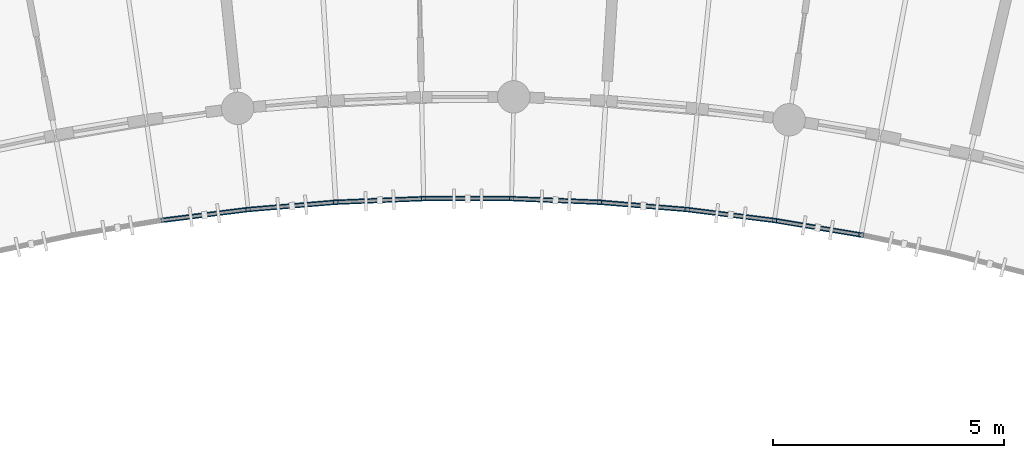
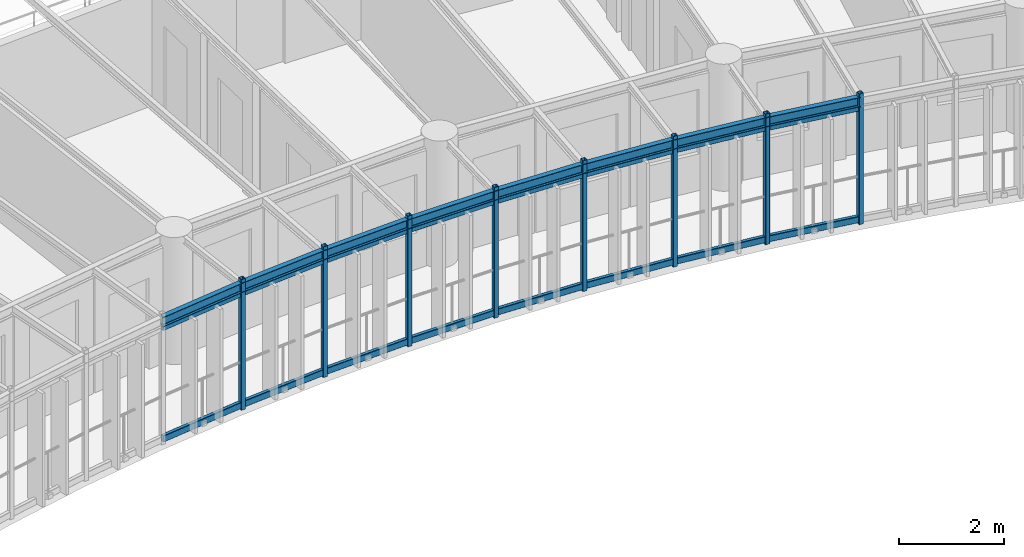
# One storey, part 28 of 100: 24 members, 8 beams.
"""IFC4 building model written with IfcOpenShell, lengths in metres."""

from ifc_helpers import new_model, si_unit, direction, frame, origin, origin_2d, place, context, subcontext, project, spatial, hollow_rectangle, i_section, extrude, material, material_profile, profile_set, type_object, element, save


model = new_model("IFC4")

# Units and contexts
model_context = context("Model", 3, precision=1e-05, world=origin(), true_north=direction((0.0, 1.0)))
body_context = subcontext(model_context, "Body", "Model", "MODEL_VIEW")
ifc_project = project(units=[si_unit("LENGTHUNIT", "METRE"), si_unit("AREAUNIT", "SQUARE_METRE"), si_unit("VOLUMEUNIT", "CUBIC_METRE"), si_unit("PLANEANGLEUNIT", "RADIAN"), si_unit("MASSUNIT", "GRAM", prefix="KILO"), si_unit("POWERUNIT", "WATT"), si_unit("THERMODYNAMICTEMPERATUREUNIT", "KELVIN")], contexts=[model_context])

# Site, building, storey
site_placement = place(None, origin())
site = spatial("IfcSite", under=ifc_project, at=site_placement, CompositionType="ELEMENT")
building_placement = place(site_placement, origin())
building = spatial("IfcBuilding", under=site, at=building_placement, Name="Ruvembo Vaulted Housing Court", CompositionType="ELEMENT")
storey_placement = place(building_placement, frame((0.0, 0.0, 10.89990234375)))
storey = spatial("IfcBuildingStorey", under=building, at=storey_placement, Name="L03", CompositionType="ELEMENT", Elevation=10.89990234375)

# Beams
ifc_material = material(Name="Steel S355J2", Category="steel")
ifc_material_profile_1 = material_profile(ifc_material, i_section(OverallWidth=0.110107421875, OverallDepth=0.219970703125, WebThickness=0.005859375, FlangeThickness=0.00927734375, FilletRadius=0.011962890625, at=origin_2d()), Name="IPE 220")
ifc_profile_set_1 = profile_set([ifc_material_profile_1], Name="Steel S355J2")
beam_type = type_object("IfcBeamType", Name="BM-ST-IPE220", PredefinedType="SPANDREL", material=ifc_profile_set_1)
for number, where, z_axis, x_axis, name in (
    (1, (110.369140625, 95.3173828125, 2.830078125), (0.992244255502, 0.124303408739, 0.0), (-0.124303408739, 0.992244255502, 0.0), "Scoop SC3 L03 Balcony Edge Spandrel 11"),
    (2, (112.255615234375, 95.5537109375, 2.830078125), (0.99656344911, 0.082832915551, 0.0), (-0.082832915551, 0.99656344911, 0.0), "Scoop SC3 L03 Balcony Edge Spandrel 12"),
    (3, (114.150146484375, 95.711181640625, 2.830078125), (0.999139293915, 0.041480975827, 0.0), (-0.041480975827, 0.999139293915, 0.0), "Scoop SC3 L03 Balcony Edge Spandrel 13"),
):
    element("IfcBeam", number, at=place(storey_placement, frame(where, z_axis=z_axis, x_axis=x_axis)), inside=storey, type_object=beam_type, Name=name, PredefinedType="SPANDREL", context=body_context, shape_type="SweptSolid", body=[
        extrude(i_section(OverallWidth=0.110107421875, OverallDepth=0.219970703125, WebThickness=0.005859375, FlangeThickness=0.00927734375, FilletRadius=0.011962890625, at=origin_2d()), origin(), (0.0, 0.0, 1.0), 1.901123046875),
    ])
beam_1_placement = place(storey_placement, frame((116.049560546875, 95.7900390625, 2.830078125), z_axis=(1.0, 0.0, 0.0), x_axis=(0.0, 1.0, 0.0)))
element("IfcBeam", 4, at=beam_1_placement, inside=storey, type_object=beam_type, Name="Scoop SC3 L03 Balcony Edge Spandrel 14", PredefinedType="SPANDREL", context=body_context, shape_type="SweptSolid", body=[
    extrude(i_section(OverallWidth=0.110107421875, OverallDepth=0.219970703125, WebThickness=0.005859375, FlangeThickness=0.00927734375, FilletRadius=0.011962890625, at=origin_2d()), origin(), (0.0, 0.0, 1.0), 1.90087890625),
])
for number, where, z_axis, x_axis, name in (
    (5, (117.950439453125, 95.7900390625, 2.830078125), (0.999139293915, -0.041480975827, 0.0), (0.041480975827, 0.999139293915, 0.0), "Scoop SC3 L03 Balcony Edge Spandrel 15"),
    (6, (119.849853515625, 95.711181640625, 2.830078125), (0.99656344911, -0.082832915551, 0.0), (0.082832915551, 0.99656344911, 0.0), "Scoop SC3 L03 Balcony Edge Spandrel 16"),
    (7, (121.744384765625, 95.5537109375, 2.830078125), (0.992244255502, -0.124303408739, 0.0), (0.124303408739, 0.992244255502, 0.0), "Scoop SC3 L03 Balcony Edge Spandrel 17"),
):
    element("IfcBeam", number, at=place(storey_placement, frame(where, z_axis=z_axis, x_axis=x_axis)), inside=storey, type_object=beam_type, Name=name, PredefinedType="SPANDREL", context=body_context, shape_type="SweptSolid", body=[
        extrude(i_section(OverallWidth=0.110107421875, OverallDepth=0.219970703125, WebThickness=0.005859375, FlangeThickness=0.00927734375, FilletRadius=0.011962890625, at=origin_2d()), origin(), (0.0, 0.0, 1.0), 1.901123046875),
    ])
beam_2_placement = place(storey_placement, frame((123.630859375, 95.3173828125, 2.830078125), z_axis=(0.986265186139, -0.165169557153, 0.0), x_axis=(0.165169557153, 0.986265186139, 0.0)))
element("IfcBeam", 8, at=beam_2_placement, inside=storey, type_object=beam_type, Name="Scoop SC3 L03 Balcony Edge Spandrel 18", PredefinedType="SPANDREL", context=body_context, shape_type="SweptSolid", body=[
    extrude(i_section(OverallWidth=0.110107421875, OverallDepth=0.219970703125, WebThickness=0.005859375, FlangeThickness=0.00927734375, FilletRadius=0.011962890625, at=origin_2d()), origin(), (0.0, 0.0, 1.0), 1.90087890625),
])

# Members
ifc_material_profile_2 = material_profile(ifc_material, hollow_rectangle(XDim=0.06005859375, YDim=0.1201171875, WallThickness=0.0048828125, InnerFilletRadius=0.0048828125, OuterFilletRadius=0.010009765625, at=origin_2d()), Name="RHS 120x60x5")
ifc_profile_set_2 = profile_set([ifc_material_profile_2], Name="Steel S355J2")
member_type_1 = type_object("IfcMemberType", Name="MEM-CAR-RHS120", PredefinedType="CHORD", material=ifc_profile_set_2)
for number, where, z_axis, x_axis, name in (
    (9, (110.369140625, 95.3173828125, 2.6630859375), (0.992244255502, 0.124303408739, 0.0), (-0.124303408739, 0.992244255502, 0.0), "Scoop SC3 L03 Upper Louvre Carrier Rail 11"),
    (10, (112.255615234375, 95.5537109375, 2.6630859375), (0.99656344911, 0.082832915551, 0.0), (-0.082832915551, 0.99656344911, 0.0), "Scoop SC3 L03 Upper Louvre Carrier Rail 12"),
    (11, (114.150146484375, 95.711181640625, 2.6630859375), (0.999139293915, 0.041480975827, 0.0), (-0.041480975827, 0.999139293915, 0.0), "Scoop SC3 L03 Upper Louvre Carrier Rail 13"),
):
    element("IfcMember", number, at=place(storey_placement, frame(where, z_axis=z_axis, x_axis=x_axis)), inside=storey, type_object=member_type_1, Name=name, PredefinedType="CHORD", context=body_context, shape_type="SweptSolid", body=[
        extrude(hollow_rectangle(XDim=0.06005859375, YDim=0.1201171875, WallThickness=0.0048828125, InnerFilletRadius=0.0048828125, OuterFilletRadius=0.010009765625, at=origin_2d()), origin(), (0.0, 0.0, 1.0), 1.901123046875),
    ])
member_1_placement = place(storey_placement, frame((116.049560546875, 95.7900390625, 2.6630859375), z_axis=(1.0, 0.0, 0.0), x_axis=(0.0, 1.0, 0.0)))
element("IfcMember", 12, at=member_1_placement, inside=storey, type_object=member_type_1, Name="Scoop SC3 L03 Upper Louvre Carrier Rail 14", PredefinedType="CHORD", context=body_context, shape_type="SweptSolid", body=[
    extrude(hollow_rectangle(XDim=0.06005859375, YDim=0.1201171875, WallThickness=0.0048828125, InnerFilletRadius=0.0048828125, OuterFilletRadius=0.010009765625, at=origin_2d()), origin(), (0.0, 0.0, 1.0), 1.90087890625),
])
for number, where, z_axis, x_axis, name in (
    (13, (117.950439453125, 95.7900390625, 2.6630859375), (0.999139293915, -0.041480975827, 0.0), (0.041480975827, 0.999139293915, 0.0), "Scoop SC3 L03 Upper Louvre Carrier Rail 15"),
    (14, (119.849853515625, 95.711181640625, 2.6630859375), (0.99656344911, -0.082832915551, 0.0), (0.082832915551, 0.99656344911, 0.0), "Scoop SC3 L03 Upper Louvre Carrier Rail 16"),
    (15, (121.744384765625, 95.5537109375, 2.6630859375), (0.992244255502, -0.124303408739, 0.0), (0.124303408739, 0.992244255502, 0.0), "Scoop SC3 L03 Upper Louvre Carrier Rail 17"),
):
    element("IfcMember", number, at=place(storey_placement, frame(where, z_axis=z_axis, x_axis=x_axis)), inside=storey, type_object=member_type_1, Name=name, PredefinedType="CHORD", context=body_context, shape_type="SweptSolid", body=[
        extrude(hollow_rectangle(XDim=0.06005859375, YDim=0.1201171875, WallThickness=0.0048828125, InnerFilletRadius=0.0048828125, OuterFilletRadius=0.010009765625, at=origin_2d()), origin(), (0.0, 0.0, 1.0), 1.901123046875),
    ])
member_2_placement = place(storey_placement, frame((123.630859375, 95.3173828125, 2.6630859375), z_axis=(0.986265186139, -0.165169557153, 0.0), x_axis=(0.165169557153, 0.986265186139, 0.0)))
element("IfcMember", 16, at=member_2_placement, inside=storey, type_object=member_type_1, Name="Scoop SC3 L03 Upper Louvre Carrier Rail 18", PredefinedType="CHORD", context=body_context, shape_type="SweptSolid", body=[
    extrude(hollow_rectangle(XDim=0.06005859375, YDim=0.1201171875, WallThickness=0.0048828125, InnerFilletRadius=0.0048828125, OuterFilletRadius=0.010009765625, at=origin_2d()), origin(), (0.0, 0.0, 1.0), 1.90087890625),
])
ifc_material_profile_3 = material_profile(ifc_material, hollow_rectangle(XDim=0.080078125, YDim=0.14990234375, WallThickness=0.00634765625, InnerFilletRadius=0.00634765625, OuterFilletRadius=0.0126953125, at=origin_2d()), Name="RHS 150x80x6.3")
ifc_profile_set_3 = profile_set([ifc_material_profile_3], Name="Steel S355J2")
member_type_2 = type_object("IfcMemberType", Name="MEM-CAR-RHS150", PredefinedType="CHORD", material=ifc_profile_set_3)
for number, where, z_axis, x_axis, name in (
    (17, (110.369140625, 95.3173828125, 0.09521484375), (0.992244255502, 0.124303408739, 0.0), (-0.124303408739, 0.992244255502, 0.0), "Scoop SC3 L03 Lower Louvre Carrier Rail 11"),
    (18, (112.255615234375, 95.5537109375, 0.09521484375), (0.99656344911, 0.082832915551, 0.0), (-0.082832915551, 0.99656344911, 0.0), "Scoop SC3 L03 Lower Louvre Carrier Rail 12"),
    (19, (114.150146484375, 95.711181640625, 0.09521484375), (0.999139293915, 0.041480975827, 0.0), (-0.041480975827, 0.999139293915, 0.0), "Scoop SC3 L03 Lower Louvre Carrier Rail 13"),
):
    element("IfcMember", number, at=place(storey_placement, frame(where, z_axis=z_axis, x_axis=x_axis)), inside=storey, type_object=member_type_2, Name=name, PredefinedType="CHORD", context=body_context, shape_type="SweptSolid", body=[
        extrude(hollow_rectangle(XDim=0.080078125, YDim=0.14990234375, WallThickness=0.00634765625, InnerFilletRadius=0.00634765625, OuterFilletRadius=0.0126953125, at=origin_2d()), origin(), (0.0, 0.0, 1.0), 1.901123046875),
    ])
member_3_placement = place(storey_placement, frame((116.049560546875, 95.7900390625, 0.09521484375), z_axis=(1.0, 0.0, 0.0), x_axis=(0.0, 1.0, 0.0)))
element("IfcMember", 20, at=member_3_placement, inside=storey, type_object=member_type_2, Name="Scoop SC3 L03 Lower Louvre Carrier Rail 14", PredefinedType="CHORD", context=body_context, shape_type="SweptSolid", body=[
    extrude(hollow_rectangle(XDim=0.080078125, YDim=0.14990234375, WallThickness=0.00634765625, InnerFilletRadius=0.00634765625, OuterFilletRadius=0.0126953125, at=origin_2d()), origin(), (0.0, 0.0, 1.0), 1.90087890625),
])
for number, where, z_axis, x_axis, name in (
    (21, (117.950439453125, 95.7900390625, 0.09521484375), (0.999139293915, -0.041480975827, 0.0), (0.041480975827, 0.999139293915, 0.0), "Scoop SC3 L03 Lower Louvre Carrier Rail 15"),
    (22, (119.849853515625, 95.711181640625, 0.09521484375), (0.99656344911, -0.082832915551, 0.0), (0.082832915551, 0.99656344911, 0.0), "Scoop SC3 L03 Lower Louvre Carrier Rail 16"),
    (23, (121.744384765625, 95.5537109375, 0.09521484375), (0.992244255502, -0.124303408739, 0.0), (0.124303408739, 0.992244255502, 0.0), "Scoop SC3 L03 Lower Louvre Carrier Rail 17"),
):
    element("IfcMember", number, at=place(storey_placement, frame(where, z_axis=z_axis, x_axis=x_axis)), inside=storey, type_object=member_type_2, Name=name, PredefinedType="CHORD", context=body_context, shape_type="SweptSolid", body=[
        extrude(hollow_rectangle(XDim=0.080078125, YDim=0.14990234375, WallThickness=0.00634765625, InnerFilletRadius=0.00634765625, OuterFilletRadius=0.0126953125, at=origin_2d()), origin(), (0.0, 0.0, 1.0), 1.901123046875),
    ])
member_4_placement = place(storey_placement, frame((123.630859375, 95.3173828125, 0.09521484375), z_axis=(0.986265186139, -0.165169557153, 0.0), x_axis=(0.165169557153, 0.986265186139, 0.0)))
element("IfcMember", 24, at=member_4_placement, inside=storey, type_object=member_type_2, Name="Scoop SC3 L03 Lower Louvre Carrier Rail 18", PredefinedType="CHORD", context=body_context, shape_type="SweptSolid", body=[
    extrude(hollow_rectangle(XDim=0.080078125, YDim=0.14990234375, WallThickness=0.00634765625, InnerFilletRadius=0.00634765625, OuterFilletRadius=0.0126953125, at=origin_2d()), origin(), (0.0, 0.0, 1.0), 1.90087890625),
])
ifc_material_profile_4 = material_profile(ifc_material, hollow_rectangle(XDim=0.10009765625, YDim=0.10009765625, WallThickness=0.00634765625, InnerFilletRadius=0.00634765625, OuterFilletRadius=0.0126953125, at=origin_2d()), Name="SHS 100x100x6.3")
ifc_profile_set_4 = profile_set([ifc_material_profile_4], Name="Steel S355J2")
member_type_3 = type_object("IfcMemberType", Name="MEM-FRM-SHS100", PredefinedType="STRUT", material=ifc_profile_set_4)
for number, where, z_axis, x_axis, name in (
    (25, (112.255615234375, 95.5537109375, -0.014892578125), (0.0, 0.0, 1.0), (1.0, 0.0, 0.0), "Scoop SC3 L03 Louvre Frame Post 12"),
    (26, (114.150146484375, 95.711181640625, -0.014892578125), (0.0, 0.0, 1.0), (1.0, 0.0, 0.0), "Scoop SC3 L03 Louvre Frame Post 13"),
    (27, (116.049560546875, 95.7900390625, -0.014892578125), (0.0, 0.0, 1.0), (1.0, 0.0, 0.0), "Scoop SC3 L03 Louvre Frame Post 14"),
    (28, (117.950439453125, 95.7900390625, -0.014892578125), (0.0, 0.0, 1.0), (1.0, 0.0, 0.0), "Scoop SC3 L03 Louvre Frame Post 15"),
    (29, (119.849853515625, 95.711181640625, -0.014892578125), (0.0, 0.0, 1.0), (1.0, 0.0, 0.0), "Scoop SC3 L03 Louvre Frame Post 16"),
    (30, (121.744384765625, 95.5537109375, -0.014892578125), (0.0, 0.0, 1.0), (1.0, 0.0, 0.0), "Scoop SC3 L03 Louvre Frame Post 17"),
    (31, (123.630859375, 95.3173828125, -0.014892578125), (0.0, 0.0, 1.0), (1.0, 0.0, 0.0), "Scoop SC3 L03 Louvre Frame Post 18"),
    (32, (125.505615234375, 95.00341796875, -0.014892578125), (0.0, 0.0, 1.0), (1.0, 0.0, 0.0), "Scoop SC3 L03 Louvre Frame Post 19"),
):
    element("IfcMember", number, at=place(storey_placement, frame(where, z_axis=z_axis, x_axis=x_axis)), inside=storey, type_object=member_type_3, Name=name, PredefinedType="STRUT", context=body_context, shape_type="SweptSolid", body=[
        extrude(hollow_rectangle(XDim=0.10009765625, YDim=0.10009765625, WallThickness=0.00634765625, InnerFilletRadius=0.00634765625, OuterFilletRadius=0.0126953125, at=origin_2d()), origin(), (0.0, 0.0, 1.0), 3.032958984375),
    ])

save(model, "model.ifc")
